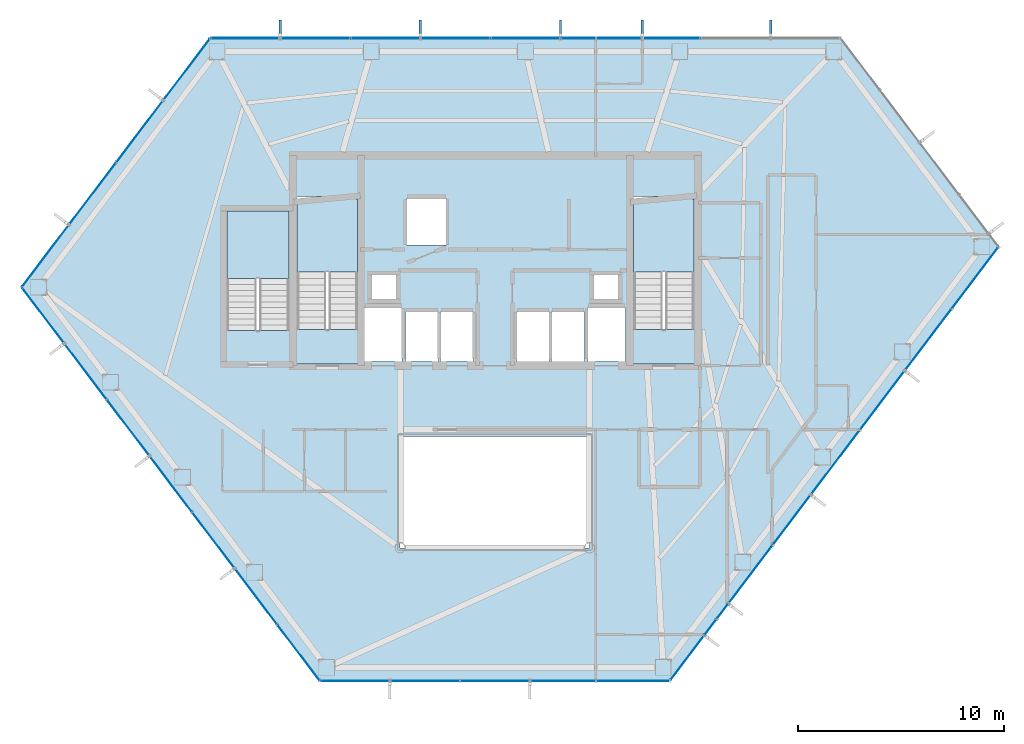
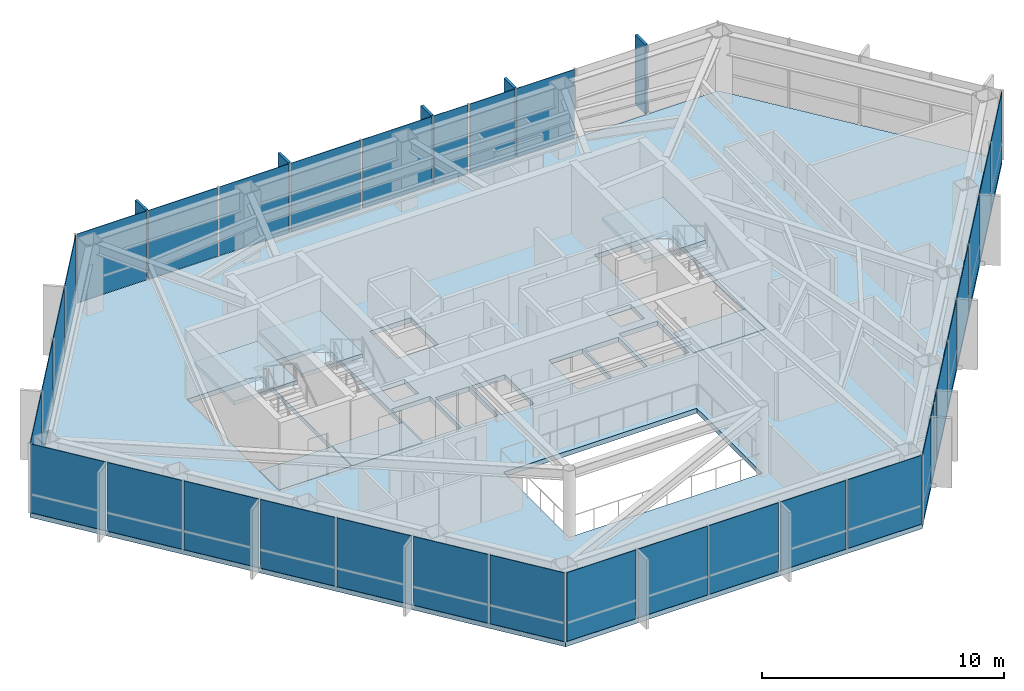
# One storey, part 24 of 29: 33 plates, 7 slabs, 5 members, 8 elements without a shape of their own.
"""IFC4 building model written with IfcOpenShell, lengths in metres."""

from ifc_helpers import new_model, si_unit, direction, frame, origin, origin_2d, place, context, subcontext, project, spatial, polyline, rectangle, outline, extrude, material, layer, layer_set, material_profile, profile_set, type_object, element, aggregate, save


model = new_model("IFC4")

# Units and contexts
model_context = context("Model", 3, precision=1e-05, world=origin(), true_north=direction((0.0, 1.0)))
body_context = subcontext(model_context, "Body", "Model", "MODEL_VIEW")
ifc_project = project(units=[si_unit("LENGTHUNIT", "METRE"), si_unit("AREAUNIT", "SQUARE_METRE"), si_unit("VOLUMEUNIT", "CUBIC_METRE"), si_unit("PLANEANGLEUNIT", "RADIAN"), si_unit("MASSUNIT", "GRAM", prefix="KILO")], contexts=[model_context])

# Site, building, storey
site_placement = place(None, origin())
site = spatial("IfcSite", under=ifc_project, at=site_placement, CompositionType="ELEMENT")
building_placement = place(site_placement, origin())
building = spatial("IfcBuilding", under=site, at=building_placement, Name="Zarrinselat Tower", CompositionType="ELEMENT")
storey_placement = place(building_placement, frame((0.0, 0.0, 138.3798828125)))
storey = spatial("IfcBuildingStorey", under=building, at=storey_placement, Name="L33", CompositionType="ELEMENT", Elevation=138.3798828125)

# Curtain wall, members, plates
ifc_material_1 = material(Name="Extruded Aluminium Alloy EN AW-6063 T6", Category="aluminium")
ifc_layer_1 = layer(ifc_material_1, 0.175048828125)
ifc_layer_set_1 = layer_set([ifc_layer_1], Name="Extruded Aluminium Alloy EN AW-6063 T6")
curtain_wall_type = type_object("IfcCurtainWallType", Name="CWS-HTL", PredefinedType="NOTDEFINED", material=ifc_layer_set_1)
curtain_wall_1_placement = place(storey_placement, origin())
curtain_wall_1 = element("IfcCurtainWall", 1, at=curtain_wall_1_placement, inside=storey, type_object=curtain_wall_type, Name="L33 Unitised Curtain Wall CW-L33-E01", PredefinedType="NOTDEFINED")
ifc_material_2 = material(Name="Honed Cream Travertine Stone", Category="masonry")
ifc_material_profile = material_profile(ifc_material_2, rectangle(XDim=0.1201171875, YDim=0.85009765625, at=origin_2d()), Name="FIN 850x120")
ifc_profile_set = profile_set([ifc_material_profile], Name="Honed Cream Travertine Stone")
member_type = type_object("IfcMemberType", Name="MEM-STONE-FIN", PredefinedType="USERDEFINED", material=ifc_profile_set)
member_1_placement = place(storey_placement, frame((51.787353515625, 49.610107421875, 0.0), z_axis=(0.0, 0.0, 1.0), x_axis=(1.0, 0.0, 0.0)))
member_1 = element("IfcMember", 2, at=member_1_placement, type_object=member_type, Name="L33 Stone Shading Fin CW-L33-E01-01", ObjectType="FIN", PredefinedType="USERDEFINED", context=body_context, shape_type="SweptSolid", body=[
    extrude(rectangle(XDim=0.1201171875, YDim=0.85009765625, at=origin_2d()), origin(), (0.0, 0.0, 1.0), 3.5),
])
member_2_placement = place(storey_placement, frame((45.550048828125, 49.610107421875, 0.0), z_axis=(0.0, 0.0, 1.0), x_axis=(1.0, 0.0, 0.0)))
member_2 = element("IfcMember", 3, at=member_2_placement, type_object=member_type, Name="L33 Stone Shading Fin CW-L33-E01-03", ObjectType="FIN", PredefinedType="USERDEFINED", context=body_context, shape_type="SweptSolid", body=[
    extrude(rectangle(XDim=0.1201171875, YDim=0.85009765625, at=origin_2d()), origin(), (0.0, 0.0, 1.0), 3.5),
])
member_3_placement = place(storey_placement, frame((41.585205078125, 49.610107421875, 0.0), z_axis=(0.0, 0.0, 1.0), x_axis=(1.0, 0.0, 0.0)))
member_3 = element("IfcMember", 4, at=member_3_placement, type_object=member_type, Name="L33 Stone Shading Fin CW-L33-E01-05", ObjectType="FIN", PredefinedType="USERDEFINED", context=body_context, shape_type="SweptSolid", body=[
    extrude(rectangle(XDim=0.1201171875, YDim=0.85009765625, at=origin_2d()), origin(), (0.0, 0.0, 1.0), 3.5),
])
member_4_placement = place(storey_placement, frame((34.78369140625, 49.610107421875, 0.0), z_axis=(0.0, 0.0, 1.0), x_axis=(1.0, 0.0, 0.0)))
member_4 = element("IfcMember", 5, at=member_4_placement, type_object=member_type, Name="L33 Stone Shading Fin CW-L33-E01-07", ObjectType="FIN", PredefinedType="USERDEFINED", context=body_context, shape_type="SweptSolid", body=[
    extrude(rectangle(XDim=0.1201171875, YDim=0.85009765625, at=origin_2d()), origin(), (0.0, 0.0, 1.0), 3.5),
])
member_5_placement = place(storey_placement, frame((27.982177734375, 49.610107421875, 0.0), z_axis=(0.0, 0.0, 1.0), x_axis=(1.0, 0.0, 0.0)))
member_5 = element("IfcMember", 6, at=member_5_placement, type_object=member_type, Name="L33 Stone Shading Fin CW-L33-E01-09", ObjectType="FIN", PredefinedType="USERDEFINED", context=body_context, shape_type="SweptSolid", body=[
    extrude(rectangle(XDim=0.1201171875, YDim=0.85009765625, at=origin_2d()), origin(), (0.0, 0.0, 1.0), 3.5),
])
ifc_material_3 = material(Name="Double Low-E Laminated Solar Glass", Category="glass")
ifc_layer_2 = layer(ifc_material_3, 0.028076171875)
ifc_layer_set_2 = layer_set([ifc_layer_2], Name="Double Low-E Laminated Solar Glass")
plate_type = type_object("IfcPlateType", Name="PLT-CW-GL28", PredefinedType="CURTAIN_PANEL", material=ifc_layer_set_2)
plate_1_placement = place(storey_placement, frame((46.96826171875, 49.14990234375, 0.02001953125), z_axis=(0.0, 0.0, 1.0), x_axis=(-1.0, 0.0, 0.0)))
plate_1 = element("IfcPlate", 7, at=plate_1_placement, type_object=plate_type, Name="CW-L33-E01 Vision Glass Panel 3", PredefinedType="CURTAIN_PANEL", context=body_context, shape_type="SweptSolid", body=[
    extrude(rectangle(XDim=2.736572265625, YDim=0.028076171875, at=origin_2d()), origin(), (0.0, 0.0, 1.0), 3.4599609375),
])
plate_2_placement = place(storey_placement, frame((44.425048828125, 49.14990234375, 0.02001953125), z_axis=(0.0, 0.0, 1.0), x_axis=(-1.0, 0.0, 0.0)))
plate_2 = element("IfcPlate", 8, at=plate_2_placement, type_object=plate_type, Name="CW-L33-E01 Vision Glass Panel 4", PredefinedType="CURTAIN_PANEL", context=body_context, shape_type="SweptSolid", body=[
    extrude(rectangle(XDim=2.14990234375, YDim=0.028076171875, at=origin_2d()), origin(), (0.0, 0.0, 1.0), 3.4599609375),
])
plate_3_placement = place(storey_placement, frame((42.4423828125, 49.14990234375, 0.02001953125), z_axis=(0.0, 0.0, 1.0), x_axis=(-1.0, 0.0, 0.0)))
plate_3 = element("IfcPlate", 9, at=plate_3_placement, type_object=plate_type, Name="CW-L33-E01 Vision Glass Panel 5", PredefinedType="CURTAIN_PANEL", context=body_context, shape_type="SweptSolid", body=[
    extrude(rectangle(XDim=1.614990234375, YDim=0.028076171875, at=origin_2d()), origin(), (0.0, 0.0, 1.0), 3.4599609375),
])
plate_4_placement = place(storey_placement, frame((39.884765625, 49.14990234375, 0.02001953125), z_axis=(0.0, 0.0, 1.0), x_axis=(-1.0, 0.0, 0.0)))
plate_4 = element("IfcPlate", 10, at=plate_4_placement, type_object=plate_type, Name="CW-L33-E01 Vision Glass Panel 6", PredefinedType="CURTAIN_PANEL", context=body_context, shape_type="SweptSolid", body=[
    extrude(rectangle(XDim=3.30078125, YDim=0.028076171875, at=origin_2d()), origin(), (0.0, 0.0, 1.0), 3.4599609375),
])
plate_5_placement = place(storey_placement, frame((36.48388671875, 49.14990234375, 0.02001953125), z_axis=(0.0, 0.0, 1.0), x_axis=(-1.0, 0.0, 0.0)))
plate_5 = element("IfcPlate", 11, at=plate_5_placement, type_object=plate_type, Name="CW-L33-E01 Vision Glass Panel 7", PredefinedType="CURTAIN_PANEL", context=body_context, shape_type="SweptSolid", body=[
    extrude(rectangle(XDim=3.30078125, YDim=0.028076171875, at=origin_2d()), origin(), (0.0, 0.0, 1.0), 3.4599609375),
])
plate_6_placement = place(storey_placement, frame((33.083251953125, 49.14990234375, 0.02001953125), z_axis=(0.0, 0.0, 1.0), x_axis=(-1.0, 0.0, 0.0)))
plate_6 = element("IfcPlate", 12, at=plate_6_placement, type_object=plate_type, Name="CW-L33-E01 Vision Glass Panel 8", PredefinedType="CURTAIN_PANEL", context=body_context, shape_type="SweptSolid", body=[
    extrude(rectangle(XDim=3.30078125, YDim=0.028076171875, at=origin_2d()), origin(), (0.0, 0.0, 1.0), 3.4599609375),
])
plate_7_placement = place(storey_placement, frame((29.6826171875, 49.14990234375, 0.02001953125), z_axis=(0.0, 0.0, 1.0), x_axis=(-1.0, 0.0, 0.0)))
plate_7 = element("IfcPlate", 13, at=plate_7_placement, type_object=plate_type, Name="CW-L33-E01 Vision Glass Panel 9", PredefinedType="CURTAIN_PANEL", context=body_context, shape_type="SweptSolid", body=[
    extrude(rectangle(XDim=3.30078125, YDim=0.028076171875, at=origin_2d()), origin(), (0.0, 0.0, 1.0), 3.4599609375),
])
plate_8_placement = place(storey_placement, frame((26.28173828125, 49.14990234375, 0.02001953125), z_axis=(0.0, 0.0, 1.0), x_axis=(-1.0, 0.0, 0.0)))
plate_8 = element("IfcPlate", 14, at=plate_8_placement, type_object=plate_type, Name="CW-L33-E01 Vision Glass Panel 10", PredefinedType="CURTAIN_PANEL", context=body_context, shape_type="SweptSolid", body=[
    extrude(rectangle(XDim=3.30078125, YDim=0.028076171875, at=origin_2d()), origin(), (0.0, 0.0, 1.0), 3.4599609375),
])
aggregate(curtain_wall_1, [member_1, member_2, member_3, member_4, member_5, plate_1, plate_2, plate_3, plate_4, plate_5, plate_6, plate_7, plate_8])

# Curtain wall, plates
curtain_wall_2_placement = place(storey_placement, origin())
curtain_wall_2 = element("IfcCurtainWall", 15, at=curtain_wall_2_placement, inside=storey, type_object=curtain_wall_type, Name="L33 Unitised Curtain Wall CW-L33-E02", PredefinedType="NOTDEFINED")
plate_9_placement = place(storey_placement, frame((23.4365234375, 47.638916015625, 0.02001953125), z_axis=(0.0, 0.0, 1.0), x_axis=(-0.603859211262, -0.797090994162, 0.0)))
plate_9 = element("IfcPlate", 16, at=plate_9_placement, type_object=plate_type, Name="CW-L33-E02 Vision Glass Panel 1", PredefinedType="CURTAIN_PANEL", context=body_context, shape_type="SweptSolid", body=[
    extrude(rectangle(XDim=3.69189453125, YDim=0.028076171875, at=origin_2d()), origin(), (0.0, 0.0, 1.0), 3.4599609375),
])
plate_10_placement = place(storey_placement, frame((21.146728515625, 44.616455078125, 0.02001953125), z_axis=(0.0, 0.0, 1.0), x_axis=(-0.603859211262, -0.797090994162, 0.0)))
plate_10 = element("IfcPlate", 17, at=plate_10_placement, type_object=plate_type, Name="CW-L33-E02 Vision Glass Panel 2", PredefinedType="CURTAIN_PANEL", context=body_context, shape_type="SweptSolid", body=[
    extrude(rectangle(XDim=3.69189453125, YDim=0.028076171875, at=origin_2d()), origin(), (0.0, 0.0, 1.0), 3.4599609375),
])
plate_11_placement = place(storey_placement, frame((18.857177734375, 41.593994140625, 0.02001953125), z_axis=(0.0, 0.0, 1.0), x_axis=(-0.603859211262, -0.797090994162, 0.0)))
plate_11 = element("IfcPlate", 18, at=plate_11_placement, type_object=plate_type, Name="CW-L33-E02 Vision Glass Panel 3", PredefinedType="CURTAIN_PANEL", context=body_context, shape_type="SweptSolid", body=[
    extrude(rectangle(XDim=3.69189453125, YDim=0.028076171875, at=origin_2d()), origin(), (0.0, 0.0, 1.0), 3.4599609375),
])
plate_12_placement = place(storey_placement, frame((16.5673828125, 38.571533203125, 0.02001953125), z_axis=(0.0, 0.0, 1.0), x_axis=(-0.603859211262, -0.797090994162, 0.0)))
plate_12 = element("IfcPlate", 19, at=plate_12_placement, type_object=plate_type, Name="CW-L33-E02 Vision Glass Panel 4", PredefinedType="CURTAIN_PANEL", context=body_context, shape_type="SweptSolid", body=[
    extrude(rectangle(XDim=3.69189453125, YDim=0.028076171875, at=origin_2d()), origin(), (0.0, 0.0, 1.0), 3.4599609375),
])
aggregate(curtain_wall_2, [plate_9, plate_10, plate_11, plate_12])

curtain_wall_3_placement = place(storey_placement, origin())
curtain_wall_3 = element("IfcCurtainWall", 20, at=curtain_wall_3_placement, inside=storey, type_object=curtain_wall_type, Name="L33 Unitised Curtain Wall CW-L33-E03", PredefinedType="NOTDEFINED")
plate_13_placement = place(storey_placement, frame((16.456787109375, 35.695068359375, 0.02001953125), z_axis=(0.0, 0.0, 1.0), x_axis=(0.603855520216, -0.797093790407, 0.0)))
plate_13 = element("IfcPlate", 21, at=plate_13_placement, type_object=plate_type, Name="CW-L33-E03 Vision Glass Panel 1", PredefinedType="CURTAIN_PANEL", context=body_context, shape_type="SweptSolid", body=[
    extrude(rectangle(XDim=3.32568359375, YDim=0.028076171875, at=origin_2d()), origin(), (0.0, 0.0, 1.0), 3.4599609375),
])
plate_14_placement = place(storey_placement, frame((18.525390625, 32.96435546875, 0.02001953125), z_axis=(0.0, 0.0, 1.0), x_axis=(0.603855520216, -0.797093790407, 0.0)))
plate_14 = element("IfcPlate", 22, at=plate_14_placement, type_object=plate_type, Name="CW-L33-E03 Vision Glass Panel 2", PredefinedType="CURTAIN_PANEL", context=body_context, shape_type="SweptSolid", body=[
    extrude(rectangle(XDim=3.32568359375, YDim=0.028076171875, at=origin_2d()), origin(), (0.0, 0.0, 1.0), 3.4599609375),
])
plate_15_placement = place(storey_placement, frame((20.593994140625, 30.233642578125, 0.02001953125), z_axis=(0.0, 0.0, 1.0), x_axis=(0.603855520216, -0.797093790407, 0.0)))
plate_15 = element("IfcPlate", 23, at=plate_15_placement, type_object=plate_type, Name="CW-L33-E03 Vision Glass Panel 3", PredefinedType="CURTAIN_PANEL", context=body_context, shape_type="SweptSolid", body=[
    extrude(rectangle(XDim=3.32568359375, YDim=0.028076171875, at=origin_2d()), origin(), (0.0, 0.0, 1.0), 3.4599609375),
])
plate_16_placement = place(storey_placement, frame((22.662841796875, 27.5029296875, 0.02001953125), z_axis=(0.0, 0.0, 1.0), x_axis=(0.603855520216, -0.797093790407, 0.0)))
plate_16 = element("IfcPlate", 24, at=plate_16_placement, type_object=plate_type, Name="CW-L33-E03 Vision Glass Panel 4", PredefinedType="CURTAIN_PANEL", context=body_context, shape_type="SweptSolid", body=[
    extrude(rectangle(XDim=3.32568359375, YDim=0.028076171875, at=origin_2d()), origin(), (0.0, 0.0, 1.0), 3.4599609375),
])
plate_17_placement = place(storey_placement, frame((24.7314453125, 24.7724609375, 0.02001953125), z_axis=(0.0, 0.0, 1.0), x_axis=(0.603855520216, -0.797093790407, 0.0)))
plate_17 = element("IfcPlate", 25, at=plate_17_placement, type_object=plate_type, Name="CW-L33-E03 Vision Glass Panel 5", PredefinedType="CURTAIN_PANEL", context=body_context, shape_type="SweptSolid", body=[
    extrude(rectangle(XDim=3.32568359375, YDim=0.028076171875, at=origin_2d()), origin(), (0.0, 0.0, 1.0), 3.4599609375),
])
plate_18_placement = place(storey_placement, frame((26.800048828125, 22.041748046875, 0.02001953125), z_axis=(0.0, 0.0, 1.0), x_axis=(0.603855520216, -0.797093790407, 0.0)))
plate_18 = element("IfcPlate", 26, at=plate_18_placement, type_object=plate_type, Name="CW-L33-E03 Vision Glass Panel 6", PredefinedType="CURTAIN_PANEL", context=body_context, shape_type="SweptSolid", body=[
    extrude(rectangle(XDim=3.32568359375, YDim=0.028076171875, at=origin_2d()), origin(), (0.0, 0.0, 1.0), 3.4599609375),
])
plate_19_placement = place(storey_placement, frame((28.868896484375, 19.31103515625, 0.02001953125), z_axis=(0.0, 0.0, 1.0), x_axis=(0.603855520216, -0.797093790407, 0.0)))
plate_19 = element("IfcPlate", 27, at=plate_19_placement, type_object=plate_type, Name="CW-L33-E03 Vision Glass Panel 7", PredefinedType="CURTAIN_PANEL", context=body_context, shape_type="SweptSolid", body=[
    extrude(rectangle(XDim=3.32568359375, YDim=0.028076171875, at=origin_2d()), origin(), (0.0, 0.0, 1.0), 3.4599609375),
])
aggregate(curtain_wall_3, [plate_13, plate_14, plate_15, plate_16, plate_17, plate_18, plate_19])

curtain_wall_4_placement = place(storey_placement, origin())
curtain_wall_4 = element("IfcCurtainWall", 28, at=curtain_wall_4_placement, inside=storey, type_object=curtain_wall_type, Name="L33 Unitised Curtain Wall CW-L33-E04", PredefinedType="NOTDEFINED")
plate_20_placement = place(storey_placement, frame((31.6025390625, 17.94580078125, 0.02001953125), z_axis=(0.0, 0.0, 1.0), x_axis=(1.0, 0.0, 0.0)))
plate_20 = element("IfcPlate", 29, at=plate_20_placement, type_object=plate_type, Name="CW-L33-E04 Vision Glass Panel 1", PredefinedType="CURTAIN_PANEL", context=body_context, shape_type="SweptSolid", body=[
    extrude(rectangle(XDim=3.298828125, YDim=0.028076171875, at=origin_2d()), origin(), (0.0, 0.0, 1.0), 3.4599609375),
])
plate_21_placement = place(storey_placement, frame((35.001220703125, 17.94580078125, 0.02001953125), z_axis=(0.0, 0.0, 1.0), x_axis=(1.0, 0.0, 0.0)))
plate_21 = element("IfcPlate", 30, at=plate_21_placement, type_object=plate_type, Name="CW-L33-E04 Vision Glass Panel 2", PredefinedType="CURTAIN_PANEL", context=body_context, shape_type="SweptSolid", body=[
    extrude(rectangle(XDim=3.298828125, YDim=0.028076171875, at=origin_2d()), origin(), (0.0, 0.0, 1.0), 3.4599609375),
])
plate_22_placement = place(storey_placement, frame((38.39990234375, 17.94580078125, 0.02001953125), z_axis=(0.0, 0.0, 1.0), x_axis=(1.0, 0.0, 0.0)))
plate_22 = element("IfcPlate", 31, at=plate_22_placement, type_object=plate_type, Name="CW-L33-E04 Vision Glass Panel 3", PredefinedType="CURTAIN_PANEL", context=body_context, shape_type="SweptSolid", body=[
    extrude(rectangle(XDim=3.298828125, YDim=0.028076171875, at=origin_2d()), origin(), (0.0, 0.0, 1.0), 3.4599609375),
])
plate_23_placement = place(storey_placement, frame((41.69970703125, 17.94580078125, 0.02001953125), z_axis=(0.0, 0.0, 1.0), x_axis=(1.0, 0.0, 0.0)))
plate_23 = element("IfcPlate", 32, at=plate_23_placement, type_object=plate_type, Name="CW-L33-E04 Vision Glass Panel 4", PredefinedType="CURTAIN_PANEL", context=body_context, shape_type="SweptSolid", body=[
    extrude(rectangle(XDim=3.1005859375, YDim=0.028076171875, at=origin_2d()), origin(), (0.0, 0.0, 1.0), 3.4599609375),
])
plate_24_placement = place(storey_placement, frame((45.098388671875, 17.94580078125, 0.02001953125), z_axis=(0.0, 0.0, 1.0), x_axis=(1.0, 0.0, 0.0)))
plate_24 = element("IfcPlate", 33, at=plate_24_placement, type_object=plate_type, Name="CW-L33-E04 Vision Glass Panel 5", PredefinedType="CURTAIN_PANEL", context=body_context, shape_type="SweptSolid", body=[
    extrude(rectangle(XDim=3.496826171875, YDim=0.028076171875, at=origin_2d()), origin(), (0.0, 0.0, 1.0), 3.4599609375),
])
aggregate(curtain_wall_4, [plate_20, plate_21, plate_22, plate_23, plate_24])

curtain_wall_5_placement = place(storey_placement, origin())
curtain_wall_5 = element("IfcCurtainWall", 34, at=curtain_wall_5_placement, inside=storey, type_object=curtain_wall_type, Name="L33 Unitised Curtain Wall CW-L33-E05", PredefinedType="NOTDEFINED")
plate_25_placement = place(storey_placement, frame((47.73388671875, 19.05078125, 0.02001953125), z_axis=(0.0, 0.0, 1.0), x_axis=(0.603855794642, 0.797093582509, 0.0)))
plate_25 = element("IfcPlate", 35, at=plate_25_placement, type_object=plate_type, Name="CW-L33-E05 Vision Glass Panel 1", PredefinedType="CURTAIN_PANEL", context=body_context, shape_type="SweptSolid", body=[
    extrude(rectangle(XDim=2.67236328125, YDim=0.028076171875, at=origin_2d()), origin(), (0.0, 0.0, 1.0), 3.4599609375),
])
plate_26_placement = place(storey_placement, frame((48.874267578125, 20.555908203125, 0.02001953125), z_axis=(0.0, 0.0, 1.0), x_axis=(0.603855794642, 0.797093582509, 0.0)))
plate_26 = element("IfcPlate", 36, at=plate_26_placement, type_object=plate_type, Name="CW-L33-E05 Vision Glass Panel 2", PredefinedType="CURTAIN_PANEL", context=body_context, shape_type="SweptSolid", body=[
    extrude(rectangle(XDim=0.90478515625, YDim=0.028076171875, at=origin_2d()), origin(), (0.0, 0.0, 1.0), 3.4599609375),
])
plate_27_placement = place(storey_placement, frame((49.45458984375, 21.322021484375, 0.02001953125), z_axis=(0.0, 0.0, 1.0), x_axis=(0.603855794642, 0.797093582509, 0.0)))
plate_27 = element("IfcPlate", 37, at=plate_27_placement, type_object=plate_type, Name="CW-L33-E05 Vision Glass Panel 3", PredefinedType="CURTAIN_PANEL", context=body_context, shape_type="SweptSolid", body=[
    extrude(rectangle(XDim=0.81689453125, YDim=0.028076171875, at=origin_2d()), origin(), (0.0, 0.0, 1.0), 3.4599609375),
])
plate_28_placement = place(storey_placement, frame((50.816650390625, 23.119873046875, 0.02001953125), z_axis=(0.0, 0.0, 1.0), x_axis=(0.603855794642, 0.797093582509, 0.0)))
plate_28 = element("IfcPlate", 38, at=plate_28_placement, type_object=plate_type, Name="CW-L33-E05 Vision Glass Panel 4", PredefinedType="CURTAIN_PANEL", context=body_context, shape_type="SweptSolid", body=[
    extrude(rectangle(XDim=3.494384765625, YDim=0.028076171875, at=origin_2d()), origin(), (0.0, 0.0, 1.0), 3.4599609375),
])
plate_29_placement = place(storey_placement, frame((52.820556640625, 25.764892578125, 0.02001953125), z_axis=(0.0, 0.0, 1.0), x_axis=(0.603855794642, 0.797093582509, 0.0)))
plate_29 = element("IfcPlate", 39, at=plate_29_placement, type_object=plate_type, Name="CW-L33-E05 Vision Glass Panel 5", PredefinedType="CURTAIN_PANEL", context=body_context, shape_type="SweptSolid", body=[
    extrude(rectangle(XDim=2.942626953125, YDim=0.028076171875, at=origin_2d()), origin(), (0.0, 0.0, 1.0), 3.4599609375),
])
plate_30_placement = place(storey_placement, frame((54.927001953125, 28.545654296875, 0.02001953125), z_axis=(0.0, 0.0, 1.0), x_axis=(0.603855794642, 0.797093582509, 0.0)))
plate_30 = element("IfcPlate", 40, at=plate_30_placement, type_object=plate_type, Name="CW-L33-E05 Vision Glass Panel 6", PredefinedType="CURTAIN_PANEL", context=body_context, shape_type="SweptSolid", body=[
    extrude(rectangle(XDim=3.83447265625, YDim=0.028076171875, at=origin_2d()), origin(), (0.0, 0.0, 1.0), 3.4599609375),
])
plate_31_placement = place(storey_placement, frame((57.2080078125, 31.556396484375, 0.02001953125), z_axis=(0.0, 0.0, 1.0), x_axis=(0.603855794642, 0.797093582509, 0.0)))
plate_31 = element("IfcPlate", 41, at=plate_31_placement, type_object=plate_type, Name="CW-L33-E05 Vision Glass Panel 7", PredefinedType="CURTAIN_PANEL", context=body_context, shape_type="SweptSolid", body=[
    extrude(rectangle(XDim=3.51953125, YDim=0.028076171875, at=origin_2d()), origin(), (0.0, 0.0, 1.0), 3.4599609375),
])
plate_32_placement = place(storey_placement, frame((59.441162109375, 34.504150390625, 0.02001953125), z_axis=(0.0, 0.0, 1.0), x_axis=(0.603855794642, 0.797093582509, 0.0)))
plate_32 = element("IfcPlate", 42, at=plate_32_placement, type_object=plate_type, Name="CW-L33-E05 Vision Glass Panel 8", PredefinedType="CURTAIN_PANEL", context=body_context, shape_type="SweptSolid", body=[
    extrude(rectangle(XDim=3.677001953125, YDim=0.028076171875, at=origin_2d()), origin(), (0.0, 0.0, 1.0), 3.4599609375),
])
plate_33_placement = place(storey_placement, frame((61.7216796875, 37.514892578125, 0.02001953125), z_axis=(0.0, 0.0, 1.0), x_axis=(0.603855794642, 0.797093582509, 0.0)))
plate_33 = element("IfcPlate", 43, at=plate_33_placement, type_object=plate_type, Name="CW-L33-E05 Vision Glass Panel 9", PredefinedType="CURTAIN_PANEL", context=body_context, shape_type="SweptSolid", body=[
    extrude(rectangle(XDim=3.677001953125, YDim=0.028076171875, at=origin_2d()), origin(), (0.0, 0.0, 1.0), 3.4599609375),
])
aggregate(curtain_wall_5, [plate_25, plate_26, plate_27, plate_28, plate_29, plate_30, plate_31, plate_32, plate_33])

# Slabs
ifc_material_4 = material(Name="Concrete C40/50", Category="concrete")
ifc_layer_3 = layer(ifc_material_4, 0.239990234375)
ifc_layer_set_3 = layer_set([ifc_layer_3], Name="Concrete C40/50")
slab_type_1 = type_object("IfcSlabType", Name="SLB-FLOOR-240-SL-HT240", PredefinedType="FLOOR", material=ifc_layer_set_3)
slab_1_placement = place(storey_placement, frame((0.0, 0.0, -0.239990234375)))
element("IfcSlab", 44, at=slab_1_placement, inside=storey, type_object=slab_type_1, Name="L33 Primary Structural Slab", PredefinedType="FLOOR", context=body_context, shape_type="SweptSolid", body=[
    extrude(outline(polyline([(55.18798828125, 49.14990234375), (24.581298828125, 49.14990234375), (15.422607421875, 37.060302734375), (29.903076171875, 17.94580078125), (46.89697265625, 17.94580078125), (62.8623046875, 39.02001953125), (55.18798828125, 49.14990234375)]), holes=[polyline([(35.64990234375, 33.449951171875), (34.050048828125, 33.449951171875), (34.050048828125, 35.85009765625), (35.64990234375, 35.85009765625), (35.64990234375, 33.449951171875)]), polyline([(35.75, 33.449951171875), (35.75, 35.85009765625), (37.35009765625, 35.85009765625), (37.35009765625, 33.449951171875), (35.75, 33.449951171875)]), polyline([(32.06005859375, 33.449951171875), (32.06005859375, 36.050048828125), (33.89990234375, 36.050048828125), (33.89990234375, 33.449951171875), (32.06005859375, 33.449951171875)]), polyline([(33.60009765625, 36.47998046875), (32.419921875, 36.47998046875), (32.419921875, 37.639892578125), (33.60009765625, 37.639892578125), (33.60009765625, 36.47998046875)]), polyline([(28.594970703125, 33.324951171875), (25.114990234375, 33.324951171875), (25.114990234375, 40.875), (28.594970703125, 40.875), (28.594970703125, 33.324951171875)]), polyline([(31.985107421875, 33.324951171875), (28.60498046875, 33.324951171875), (28.60498046875, 41.47509765625), (31.985107421875, 41.47509765625), (31.985107421875, 33.324951171875)]), polyline([(36.050048828125, 39.10009765625), (34.10009765625, 39.10009765625), (34.10009765625, 41.35009765625), (36.050048828125, 41.35009765625), (36.050048828125, 39.10009765625)]), polyline([(33.800048828125, 24.39990234375), (33.800048828125, 29.800048828125), (43.0, 29.800048828125), (43.0, 24.39990234375), (33.800048828125, 24.39990234375)]), polyline([(39.449951171875, 33.449951171875), (39.449951171875, 35.85009765625), (41.050048828125, 35.85009765625), (41.050048828125, 33.449951171875), (39.449951171875, 33.449951171875)]), polyline([(41.14990234375, 33.449951171875), (41.14990234375, 35.85009765625), (42.75, 35.85009765625), (42.75, 33.449951171875), (41.14990234375, 33.449951171875)]), polyline([(42.89990234375, 33.449951171875), (42.89990234375, 36.050048828125), (44.739990234375, 36.050048828125), (44.739990234375, 33.449951171875), (42.89990234375, 33.449951171875)]), polyline([(43.199951171875, 36.47998046875), (43.199951171875, 37.639892578125), (44.3798828125, 37.639892578125), (44.3798828125, 36.47998046875), (43.199951171875, 36.47998046875)]), polyline([(48.324951171875, 33.324951171875), (44.875, 33.324951171875), (44.875, 41.47509765625), (48.324951171875, 41.47509765625), (48.324951171875, 33.324951171875)])]), origin(), (0.0, 0.0, 1.0), 0.239990234375),
])
slab_2_placement = place(storey_placement, frame((0.0, 0.0, -0.239990234375)))
element("IfcSlab", 45, at=slab_2_placement, inside=storey, type_object=slab_type_1, Name="L33 Stair ST-1-FL1 Structural Floor Landing", PredefinedType="FLOOR", context=body_context, shape_type="SweptSolid", body=[
    extrude(outline(polyline([(31.97998046875, 33.330078125), (31.97998046875, 35.0), (28.610107421875, 35.0), (28.610107421875, 33.330078125), (31.97998046875, 33.330078125)])), origin(), (0.0, 0.0, 1.0), 0.239990234375),
])
slab_3_placement = place(storey_placement, frame((0.0, 0.0, -0.239990234375)))
element("IfcSlab", 46, at=slab_3_placement, inside=storey, type_object=slab_type_1, Name="L33 Stair ST-2-FL1 Structural Floor Landing", PredefinedType="FLOOR", context=body_context, shape_type="SweptSolid", body=[
    extrude(outline(polyline([(48.320068359375, 33.330078125), (48.320068359375, 35.0), (44.8798828125, 35.0), (44.8798828125, 33.330078125), (48.320068359375, 33.330078125)])), origin(), (0.0, 0.0, 1.0), 0.239990234375),
])
slab_4_placement = place(storey_placement, frame((0.0, 0.0, -0.239990234375)))
element("IfcSlab", 47, at=slab_4_placement, inside=storey, type_object=slab_type_1, Name="L33 Stair ST-3-FL1 Structural Floor Landing", PredefinedType="FLOOR", context=body_context, shape_type="SweptSolid", body=[
    extrude(outline(polyline([(28.590087890625, 33.330078125), (28.590087890625, 34.949951171875), (25.1201171875, 34.949951171875), (25.1201171875, 33.330078125), (28.590087890625, 33.330078125)])), origin(), (0.0, 0.0, 1.0), 0.239990234375),
])

# Stair, slab
ifc_material_5 = material(Name="Concrete C40/50", Category="concrete")
stair_type_1 = type_object("IfcStairType", Name="STR-CORE-145", PredefinedType="HALF_TURN_STAIR", material=ifc_material_5)
stair_1_placement = place(storey_placement, origin())
stair_1 = element("IfcStair", 48, at=stair_1_placement, inside=storey, type_object=stair_type_1, Name="L33 Podium & Mid-Tower Exit Stair 3", PredefinedType="HALF_TURN_STAIR")
ifc_material_6 = material(Name="Concrete C40/50", Category="concrete")
ifc_layer_4 = layer(ifc_material_6, 0.1650390625)
ifc_layer_set_4 = layer_set([ifc_layer_4], Name="Concrete C40/50")
slab_type_2 = type_object("IfcSlabType", Name="SLB-LND-165", PredefinedType="LANDING", material=ifc_layer_set_4)
slab_5_placement = place(storey_placement, frame((0.0, 0.0, 1.670166015625)))
slab_5 = element("IfcSlab", 49, at=slab_5_placement, type_object=slab_type_2, Name="ST-3 landing 1", PredefinedType="LANDING", context=body_context, shape_type="SweptSolid", body=[
    extrude(outline(polyline([(28.39990234375, 37.469970703125), (28.39990234375, 40.75), (25.3798828125, 40.75), (25.3798828125, 37.469970703125), (28.39990234375, 37.469970703125)])), origin(), (0.0, 0.0, 1.0), 0.199951171875),
])
aggregate(stair_1, [slab_5])

ifc_material_7 = material(Name="Concrete C40/50", Category="concrete")
stair_type_2 = type_object("IfcStairType", Name="STR-CORE-155", PredefinedType="HALF_TURN_STAIR", material=ifc_material_7)
stair_2_placement = place(storey_placement, origin())
stair_2 = element("IfcStair", 50, at=stair_2_placement, inside=storey, type_object=stair_type_2, Name="L33 Core Exit Stair 1", PredefinedType="HALF_TURN_STAIR")
ifc_material_8 = material(Name="Concrete C40/50", Category="concrete")
ifc_layer_5 = layer(ifc_material_8, 0.18994140625)
ifc_layer_set_5 = layer_set([ifc_layer_5], Name="Concrete C40/50")
slab_type_3 = type_object("IfcSlabType", Name="SLB-LND-190", PredefinedType="LANDING", material=ifc_layer_set_5)
slab_6_placement = place(storey_placement, frame((0.0, 0.0, 1.670166015625)))
slab_6 = element("IfcSlab", 51, at=slab_6_placement, type_object=slab_type_3, Name="ST-1 landing 1", PredefinedType="LANDING", context=body_context, shape_type="SweptSolid", body=[
    extrude(outline(polyline([(31.719970703125, 37.7900390625), (31.719970703125, 41.35009765625), (28.800048828125, 41.35009765625), (28.800048828125, 37.7900390625), (31.719970703125, 37.7900390625)])), origin(), (0.0, 0.0, 1.0), 0.199951171875),
])
aggregate(stair_2, [slab_6])

stair_3_placement = place(storey_placement, origin())
stair_3 = element("IfcStair", 52, at=stair_3_placement, inside=storey, type_object=stair_type_2, Name="L33 Core Exit Stair 2", PredefinedType="HALF_TURN_STAIR")
slab_7_placement = place(storey_placement, frame((0.0, 0.0, 1.670166015625)))
slab_7 = element("IfcSlab", 53, at=slab_7_placement, type_object=slab_type_3, Name="ST-2 landing 1", PredefinedType="LANDING", context=body_context, shape_type="SweptSolid", body=[
    extrude(outline(polyline([(48.06005859375, 37.7900390625), (48.06005859375, 41.35009765625), (45.139892578125, 41.35009765625), (45.139892578125, 37.7900390625), (48.06005859375, 37.7900390625)])), origin(), (0.0, 0.0, 1.0), 0.199951171875),
])
aggregate(stair_3, [slab_7])

save(model, "model.ifc")
